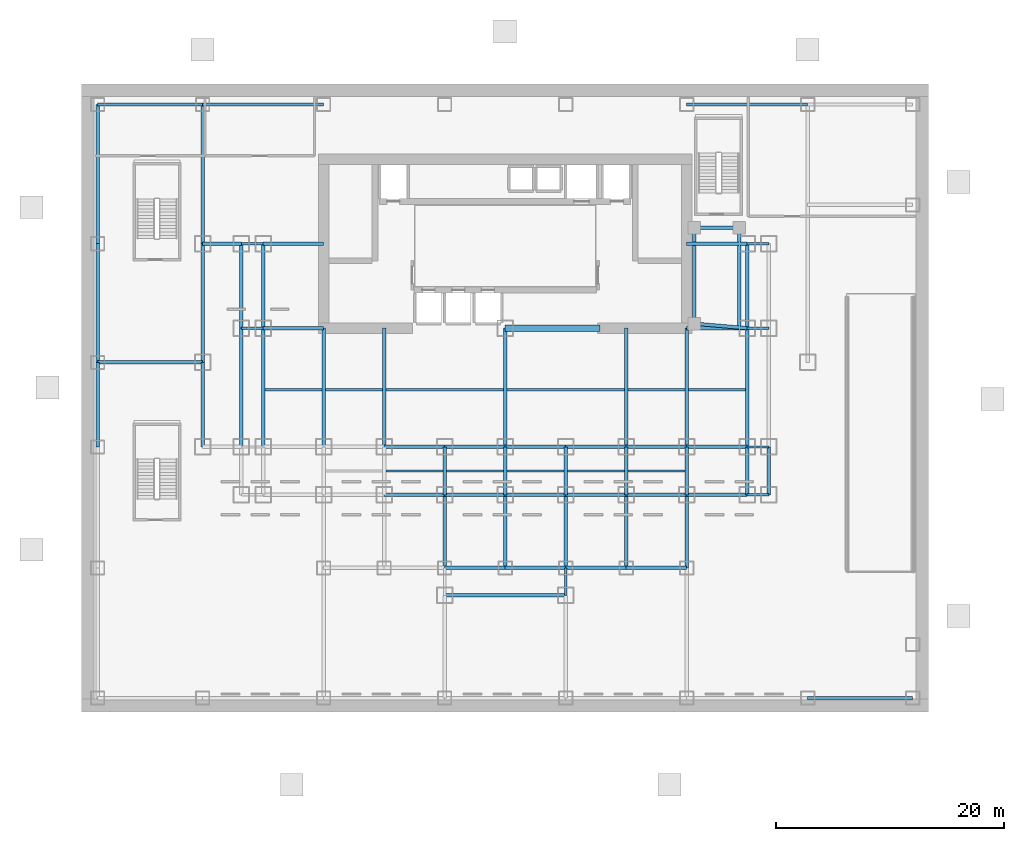
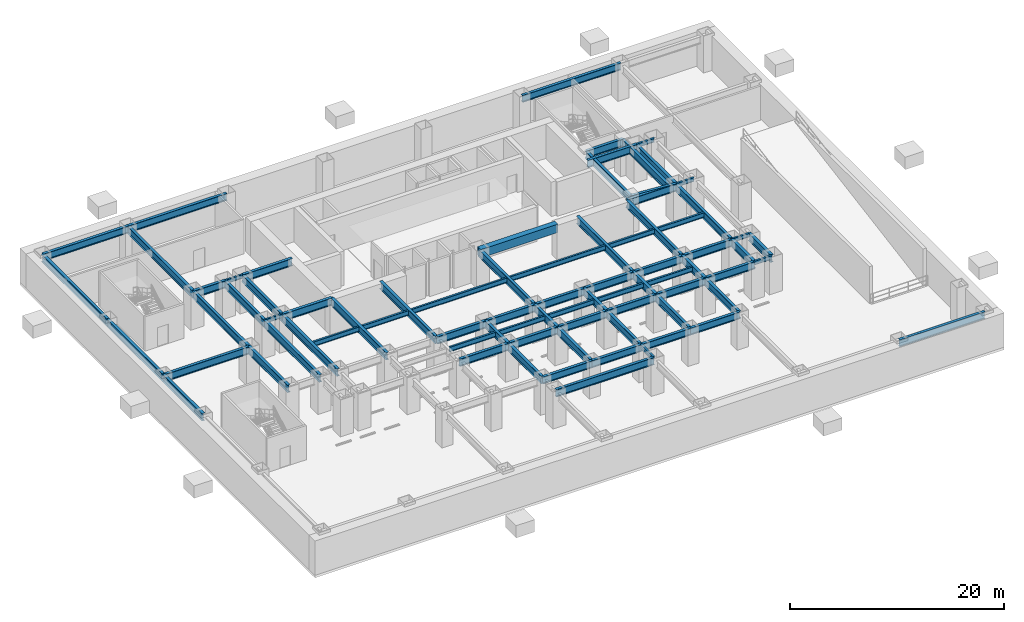
# One storey, part 2 of 7: 79 beams.
"""IFC4 building model written with IfcOpenShell, lengths in metres."""

from ifc_helpers import new_model, si_unit, direction, frame, origin, origin_2d, place, context, subcontext, project, spatial, rectangle, i_section, extrude, material, material_profile, profile_set, type_object, element, save


model = new_model("IFC4")

# Units and contexts
model_context = context("Model", 3, precision=1e-05, world=origin(), true_north=direction((0.0, 1.0)))
body_context = subcontext(model_context, "Body", "Model", "MODEL_VIEW")
ifc_project = project(units=[si_unit("LENGTHUNIT", "METRE"), si_unit("AREAUNIT", "SQUARE_METRE"), si_unit("VOLUMEUNIT", "CUBIC_METRE"), si_unit("PLANEANGLEUNIT", "RADIAN"), si_unit("MASSUNIT", "GRAM", prefix="KILO")], contexts=[model_context])

# Site, building, storey
site_placement = place(None, origin())
site = spatial("IfcSite", under=ifc_project, at=site_placement, CompositionType="ELEMENT")
building_placement = place(site_placement, origin())
building = spatial("IfcBuilding", under=site, at=building_placement, Name="Qianlan Lanfeng Residences", CompositionType="ELEMENT")
storey_placement = place(building_placement, frame((0.0, 0.0, -4.199951171875)))
storey = spatial("IfcBuildingStorey", under=building, at=storey_placement, Name="B1", CompositionType="ELEMENT", Elevation=-4.199951171875)

# Beams
ifc_material_1 = material(Name="Steel SN490B", Category="steel")
ifc_material_profile_1 = material_profile(ifc_material_1, i_section(OverallWidth=0.300048828125, OverallDepth=0.85009765625, WebThickness=0.01611328125, FlangeThickness=0.031982421875, at=origin_2d()), Name="H 850x300x16x32")
ifc_profile_set_1 = profile_set([ifc_material_profile_1], Name="Steel SN490B")
beam_type_1 = type_object("IfcBeamType", Name="G-1100", PredefinedType="BEAM", material=ifc_profile_set_1)
beam_1_placement = place(storey_placement, frame((21.199951171875, 1.800048828125, 3.474853515625), z_axis=(1.0, 0.0, 0.0), x_axis=(0.0, 1.0, 0.0)))
element("IfcBeam", 1, at=beam_1_placement, inside=storey, type_object=beam_type_1, Name="Structural beam G-1100", PredefinedType="BEAM", context=body_context, shape_type="SweptSolid", body=[
    extrude(i_section(OverallWidth=0.300048828125, OverallDepth=0.85009765625, WebThickness=0.01611328125, FlangeThickness=0.031982421875, at=origin_2d()), origin(), (0.0, 0.0, 1.0), 10.60009765625),
])
for number, where, z_axis, x_axis, name in (
    (2, (15.89990234375, 10.60009765625, 3.474853515625), (1.0, 0.0, 0.0), (0.0, 1.0, 0.0), "Structural beam G-1100"),
    (3, (21.199951171875, 10.60009765625, 3.474853515625), (1.0, 0.0, 0.0), (0.0, 1.0, 0.0), "Structural beam G-1100"),
    (4, (26.5, 10.60009765625, 3.474853515625), (1.0, 0.0, 0.0), (0.0, 1.0, 0.0), "Structural beam G-1100"),
    (5, (31.800048828125, 10.60009765625, 3.474853515625), (1.0, 0.0, 0.0), (0.0, 1.0, 0.0), "Structural beam G-1100"),
):
    element("IfcBeam", number, at=place(storey_placement, frame(where, z_axis=z_axis, x_axis=x_axis)), inside=storey, type_object=beam_type_1, Name=name, PredefinedType="BEAM", context=body_context, shape_type="SweptSolid", body=[
        extrude(i_section(OverallWidth=0.300048828125, OverallDepth=0.85009765625, WebThickness=0.01611328125, FlangeThickness=0.031982421875, at=origin_2d()), origin(), (0.0, 0.0, 1.0), 5.300048828125),
    ])
beam_2_placement = place(storey_placement, frame((37.10009765625, 10.60009765625, 3.474853515625), z_axis=(1.0, 0.0, 0.0), x_axis=(0.0, 1.0, 0.0)))
element("IfcBeam", 6, at=beam_2_placement, inside=storey, type_object=beam_type_1, Name="Structural beam G-1100", PredefinedType="BEAM", context=body_context, shape_type="SweptSolid", body=[
    extrude(i_section(OverallWidth=0.300048828125, OverallDepth=0.85009765625, WebThickness=0.01611328125, FlangeThickness=0.031982421875, at=origin_2d()), origin(), (0.0, 0.0, 1.0), 5.2998046875),
])
for number, where, z_axis, x_axis, name in (
    (7, (42.39990234375, 10.60009765625, 3.474853515625), (1.0, 0.0, 0.0), (0.0, 1.0, 0.0), "Structural beam G-1100"),
    (8, (15.89990234375, 14.800048828125, 3.474853515625), (1.0, 0.0, 0.0), (0.0, 1.0, 0.0), "Structural beam G-1100"),
    (9, (21.199951171875, 14.800048828125, 3.474853515625), (1.0, 0.0, 0.0), (0.0, 1.0, 0.0), "Structural beam G-1100"),
    (10, (26.5, 14.800048828125, 3.474853515625), (1.0, 0.0, 0.0), (0.0, 1.0, 0.0), "Structural beam G-1100"),
    (11, (31.800048828125, 14.800048828125, 3.474853515625), (1.0, 0.0, 0.0), (0.0, 1.0, 0.0), "Structural beam G-1100"),
):
    element("IfcBeam", number, at=place(storey_placement, frame(where, z_axis=z_axis, x_axis=x_axis)), inside=storey, type_object=beam_type_1, Name=name, PredefinedType="BEAM", context=body_context, shape_type="SweptSolid", body=[
        extrude(i_section(OverallWidth=0.300048828125, OverallDepth=0.85009765625, WebThickness=0.01611328125, FlangeThickness=0.031982421875, at=origin_2d()), origin(), (0.0, 0.0, 1.0), 5.300048828125),
    ])
beam_3_placement = place(storey_placement, frame((37.10009765625, 14.800048828125, 3.474853515625), z_axis=(1.0, 0.0, 0.0), x_axis=(0.0, 1.0, 0.0)))
element("IfcBeam", 12, at=beam_3_placement, inside=storey, type_object=beam_type_1, Name="Structural beam G-1100", PredefinedType="BEAM", context=body_context, shape_type="SweptSolid", body=[
    extrude(i_section(OverallWidth=0.300048828125, OverallDepth=0.85009765625, WebThickness=0.01611328125, FlangeThickness=0.031982421875, at=origin_2d()), origin(), (0.0, 0.0, 1.0), 5.2998046875),
])
beam_4_placement = place(storey_placement, frame((42.39990234375, 14.800048828125, 3.474853515625), z_axis=(1.0, 0.0, 0.0), x_axis=(0.0, 1.0, 0.0)))
element("IfcBeam", 13, at=beam_4_placement, inside=storey, type_object=beam_type_1, Name="Structural beam G-1100", PredefinedType="BEAM", context=body_context, shape_type="SweptSolid", body=[
    extrude(i_section(OverallWidth=0.300048828125, OverallDepth=0.85009765625, WebThickness=0.01611328125, FlangeThickness=0.031982421875, at=origin_2d()), origin(), (0.0, 0.0, 1.0), 5.300048828125),
])
beam_5_placement = place(storey_placement, frame((-9.199951171875, 22.199951171875, 3.474853515625), z_axis=(1.0, 0.0, 0.0), x_axis=(0.0, 1.0, 0.0)))
element("IfcBeam", 14, at=beam_5_placement, inside=storey, type_object=beam_type_1, Name="Structural beam G-1100", PredefinedType="BEAM", context=body_context, shape_type="SweptSolid", body=[
    extrude(i_section(OverallWidth=0.300048828125, OverallDepth=0.85009765625, WebThickness=0.01611328125, FlangeThickness=0.031982421875, at=origin_2d()), origin(), (0.0, 0.0, 1.0), 9.199951171875),
])
for number, where, z_axis, x_axis, name in (
    (15, (5.300048828125, 25.199951171875, 3.474853515625), (1.0, 0.0, 0.0), (0.0, 1.0, 0.0), "Structural beam G-1100"),
    (16, (42.39990234375, 25.199951171875, 3.474853515625), (1.0, 0.0, 0.0), (0.0, 1.0, 0.0), "Structural beam G-1100"),
):
    element("IfcBeam", number, at=place(storey_placement, frame(where, z_axis=z_axis, x_axis=x_axis)), inside=storey, type_object=beam_type_1, Name=name, PredefinedType="BEAM", context=body_context, shape_type="SweptSolid", body=[
        extrude(i_section(OverallWidth=0.300048828125, OverallDepth=0.85009765625, WebThickness=0.01611328125, FlangeThickness=0.031982421875, at=origin_2d()), origin(), (0.0, 0.0, 1.0), 5.300048828125),
    ])
beam_6_placement = place(storey_placement, frame((0.0, 32.60009765625, 3.474853515625), z_axis=(1.0, 0.0, 0.0), x_axis=(0.0, 1.0, 0.0)))
element("IfcBeam", 17, at=beam_6_placement, inside=storey, type_object=beam_type_1, Name="Structural beam G-1100", PredefinedType="BEAM", context=body_context, shape_type="SweptSolid", body=[
    extrude(i_section(OverallWidth=0.300048828125, OverallDepth=0.85009765625, WebThickness=0.01611328125, FlangeThickness=0.031982421875, at=origin_2d()), origin(), (0.0, 0.0, 1.0), 3.39990234375),
])
for number, where, z_axis, x_axis, name in (
    (18, (5.300048828125, 32.60009765625, 3.474853515625), (1.0, 0.0, 0.0), (0.0, 1.0, 0.0), "Structural beam G-1100"),
    (19, (42.39990234375, 32.60009765625, 3.474853515625), (1.0, 0.0, 0.0), (0.0, 1.0, 0.0), "Structural beam G-1100"),
):
    element("IfcBeam", number, at=place(storey_placement, frame(where, z_axis=z_axis, x_axis=x_axis)), inside=storey, type_object=beam_type_1, Name=name, PredefinedType="BEAM", context=body_context, shape_type="SweptSolid", body=[
        extrude(i_section(OverallWidth=0.300048828125, OverallDepth=0.85009765625, WebThickness=0.01611328125, FlangeThickness=0.031982421875, at=origin_2d()), origin(), (0.0, 0.0, 1.0), 5.300048828125),
    ])
beam_7_placement = place(storey_placement, frame((-9.199951171875, 14.800048828125, 3.474853515625), z_axis=(0.0, 1.0, 0.0), x_axis=(-1.0, 0.0, 0.0)))
element("IfcBeam", 20, at=beam_7_placement, inside=storey, type_object=beam_type_1, Name="Structural beam G-1100", PredefinedType="BEAM", context=body_context, shape_type="SweptSolid", body=[
    extrude(i_section(OverallWidth=0.300048828125, OverallDepth=0.85009765625, WebThickness=0.01611328125, FlangeThickness=0.031982421875, at=origin_2d()), origin(), (0.0, 0.0, 1.0), 7.39990234375),
])
beam_8_placement = place(storey_placement, frame((-9.199951171875, 22.199951171875, 3.474853515625), z_axis=(0.0, 1.0, 0.0), x_axis=(-1.0, 0.0, 0.0)))
element("IfcBeam", 21, at=beam_8_placement, inside=storey, type_object=beam_type_1, Name="Structural beam G-1100", PredefinedType="BEAM", context=body_context, shape_type="SweptSolid", body=[
    extrude(i_section(OverallWidth=0.300048828125, OverallDepth=0.85009765625, WebThickness=0.01611328125, FlangeThickness=0.031982421875, at=origin_2d()), origin(), (0.0, 0.0, 1.0), 10.400146484375),
])
beam_9_placement = place(storey_placement, frame((-9.199951171875, 32.60009765625, 3.474853515625), z_axis=(0.0, 1.0, 0.0), x_axis=(-1.0, 0.0, 0.0)))
element("IfcBeam", 22, at=beam_9_placement, inside=storey, type_object=beam_type_1, Name="Structural beam G-1100", PredefinedType="BEAM", context=body_context, shape_type="SweptSolid", body=[
    extrude(i_section(OverallWidth=0.300048828125, OverallDepth=0.85009765625, WebThickness=0.01611328125, FlangeThickness=0.031982421875, at=origin_2d()), origin(), (0.0, 0.0, 1.0), 12.199951171875),
])
beam_10_placement = place(storey_placement, frame((0.0, 14.800048828125, 3.474853515625), z_axis=(0.0, 1.0, 0.0), x_axis=(-1.0, 0.0, 0.0)))
element("IfcBeam", 23, at=beam_10_placement, inside=storey, type_object=beam_type_1, Name="Structural beam G-1100", PredefinedType="BEAM", context=body_context, shape_type="SweptSolid", body=[
    extrude(i_section(OverallWidth=0.300048828125, OverallDepth=0.85009765625, WebThickness=0.01611328125, FlangeThickness=0.031982421875, at=origin_2d()), origin(), (0.0, 0.0, 1.0), 7.39990234375),
])
beam_11_placement = place(storey_placement, frame((0.0, 22.199951171875, 3.474853515625), z_axis=(0.0, 1.0, 0.0), x_axis=(-1.0, 0.0, 0.0)))
element("IfcBeam", 24, at=beam_11_placement, inside=storey, type_object=beam_type_1, Name="Structural beam G-1100", PredefinedType="BEAM", context=body_context, shape_type="SweptSolid", body=[
    extrude(i_section(OverallWidth=0.300048828125, OverallDepth=0.85009765625, WebThickness=0.01611328125, FlangeThickness=0.031982421875, at=origin_2d()), origin(), (0.0, 0.0, 1.0), 10.400146484375),
])
beam_12_placement = place(storey_placement, frame((0.0, 32.60009765625, 3.474853515625), z_axis=(0.0, 1.0, 0.0), x_axis=(-1.0, 0.0, 0.0)))
element("IfcBeam", 25, at=beam_12_placement, inside=storey, type_object=beam_type_1, Name="Structural beam G-1100", PredefinedType="BEAM", context=body_context, shape_type="SweptSolid", body=[
    extrude(i_section(OverallWidth=0.300048828125, OverallDepth=0.85009765625, WebThickness=0.01611328125, FlangeThickness=0.031982421875, at=origin_2d()), origin(), (0.0, 0.0, 1.0), 12.199951171875),
])
beam_13_placement = place(storey_placement, frame((3.39990234375, 14.800048828125, 3.474853515625), z_axis=(0.0, 1.0, 0.0), x_axis=(-1.0, 0.0, 0.0)))
element("IfcBeam", 26, at=beam_13_placement, inside=storey, type_object=beam_type_1, Name="Structural beam G-1100", PredefinedType="BEAM", context=body_context, shape_type="SweptSolid", body=[
    extrude(i_section(OverallWidth=0.300048828125, OverallDepth=0.85009765625, WebThickness=0.01611328125, FlangeThickness=0.031982421875, at=origin_2d()), origin(), (0.0, 0.0, 1.0), 10.39990234375),
])
beam_14_placement = place(storey_placement, frame((3.39990234375, 25.199951171875, 3.474853515625), z_axis=(0.0, 1.0, 0.0), x_axis=(-1.0, 0.0, 0.0)))
element("IfcBeam", 27, at=beam_14_placement, inside=storey, type_object=beam_type_1, Name="Structural beam G-1100", PredefinedType="BEAM", context=body_context, shape_type="SweptSolid", body=[
    extrude(i_section(OverallWidth=0.300048828125, OverallDepth=0.85009765625, WebThickness=0.01611328125, FlangeThickness=0.031982421875, at=origin_2d()), origin(), (0.0, 0.0, 1.0), 7.400146484375),
])
beam_15_placement = place(storey_placement, frame((5.300048828125, 14.800048828125, 3.474853515625), z_axis=(0.0, 1.0, 0.0), x_axis=(-1.0, 0.0, 0.0)))
element("IfcBeam", 28, at=beam_15_placement, inside=storey, type_object=beam_type_1, Name="Structural beam G-1100", PredefinedType="BEAM", context=body_context, shape_type="SweptSolid", body=[
    extrude(i_section(OverallWidth=0.300048828125, OverallDepth=0.85009765625, WebThickness=0.01611328125, FlangeThickness=0.031982421875, at=origin_2d()), origin(), (0.0, 0.0, 1.0), 10.39990234375),
])
beam_16_placement = place(storey_placement, frame((5.300048828125, 25.199951171875, 3.474853515625), z_axis=(0.0, 1.0, 0.0), x_axis=(-1.0, 0.0, 0.0)))
element("IfcBeam", 29, at=beam_16_placement, inside=storey, type_object=beam_type_1, Name="Structural beam G-1100", PredefinedType="BEAM", context=body_context, shape_type="SweptSolid", body=[
    extrude(i_section(OverallWidth=0.300048828125, OverallDepth=0.85009765625, WebThickness=0.01611328125, FlangeThickness=0.031982421875, at=origin_2d()), origin(), (0.0, 0.0, 1.0), 7.400146484375),
])
for number, where, z_axis, x_axis, name in (
    (30, (10.60009765625, 14.800048828125, 3.474853515625), (0.0, 1.0, 0.0), (-1.0, 0.0, 0.0), "Structural beam G-1100"),
    (31, (15.89990234375, 14.800048828125, 3.474853515625), (0.0, 1.0, 0.0), (-1.0, 0.0, 0.0), "Structural beam G-1100"),
):
    element("IfcBeam", number, at=place(storey_placement, frame(where, z_axis=z_axis, x_axis=x_axis)), inside=storey, type_object=beam_type_1, Name=name, PredefinedType="BEAM", context=body_context, shape_type="SweptSolid", body=[
        extrude(i_section(OverallWidth=0.300048828125, OverallDepth=0.85009765625, WebThickness=0.01611328125, FlangeThickness=0.031982421875, at=origin_2d()), origin(), (0.0, 0.0, 1.0), 10.39990234375),
    ])
beam_17_placement = place(storey_placement, frame((21.199951171875, 4.199951171875, 3.474853515625), z_axis=(0.0, 1.0, 0.0), x_axis=(-1.0, 0.0, 0.0)))
element("IfcBeam", 32, at=beam_17_placement, inside=storey, type_object=beam_type_1, Name="Structural beam G-1100", PredefinedType="BEAM", context=body_context, shape_type="SweptSolid", body=[
    extrude(i_section(OverallWidth=0.300048828125, OverallDepth=0.85009765625, WebThickness=0.01611328125, FlangeThickness=0.031982421875, at=origin_2d()), origin(), (0.0, 0.0, 1.0), 6.400146484375),
])
beam_18_placement = place(storey_placement, frame((21.199951171875, 10.60009765625, 3.474853515625), z_axis=(0.0, 1.0, 0.0), x_axis=(-1.0, 0.0, 0.0)))
element("IfcBeam", 33, at=beam_18_placement, inside=storey, type_object=beam_type_1, Name="Structural beam G-1100", PredefinedType="BEAM", context=body_context, shape_type="SweptSolid", body=[
    extrude(i_section(OverallWidth=0.300048828125, OverallDepth=0.85009765625, WebThickness=0.01611328125, FlangeThickness=0.031982421875, at=origin_2d()), origin(), (0.0, 0.0, 1.0), 4.199951171875),
])
beam_19_placement = place(storey_placement, frame((26.5, 4.199951171875, 3.474853515625), z_axis=(0.0, 1.0, 0.0), x_axis=(-1.0, 0.0, 0.0)))
element("IfcBeam", 34, at=beam_19_placement, inside=storey, type_object=beam_type_1, Name="Structural beam G-1100", PredefinedType="BEAM", context=body_context, shape_type="SweptSolid", body=[
    extrude(i_section(OverallWidth=0.300048828125, OverallDepth=0.85009765625, WebThickness=0.01611328125, FlangeThickness=0.031982421875, at=origin_2d()), origin(), (0.0, 0.0, 1.0), 6.400146484375),
])
beam_20_placement = place(storey_placement, frame((26.5, 10.60009765625, 3.474853515625), z_axis=(0.0, 1.0, 0.0), x_axis=(-1.0, 0.0, 0.0)))
element("IfcBeam", 35, at=beam_20_placement, inside=storey, type_object=beam_type_1, Name="Structural beam G-1100", PredefinedType="BEAM", context=body_context, shape_type="SweptSolid", body=[
    extrude(i_section(OverallWidth=0.300048828125, OverallDepth=0.85009765625, WebThickness=0.01611328125, FlangeThickness=0.031982421875, at=origin_2d()), origin(), (0.0, 0.0, 1.0), 4.199951171875),
])
beam_21_placement = place(storey_placement, frame((26.5, 14.800048828125, 3.474853515625), z_axis=(0.0, 1.0, 0.0), x_axis=(-1.0, 0.0, 0.0)))
element("IfcBeam", 36, at=beam_21_placement, inside=storey, type_object=beam_type_1, Name="Structural beam G-1100", PredefinedType="BEAM", context=body_context, shape_type="SweptSolid", body=[
    extrude(i_section(OverallWidth=0.300048828125, OverallDepth=0.85009765625, WebThickness=0.01611328125, FlangeThickness=0.031982421875, at=origin_2d()), origin(), (0.0, 0.0, 1.0), 10.39990234375),
])
beam_22_placement = place(storey_placement, frame((31.800048828125, 4.199951171875, 3.474853515625), z_axis=(0.0, 1.0, 0.0), x_axis=(-1.0, 0.0, 0.0)))
element("IfcBeam", 37, at=beam_22_placement, inside=storey, type_object=beam_type_1, Name="Structural beam G-1100", PredefinedType="BEAM", context=body_context, shape_type="SweptSolid", body=[
    extrude(i_section(OverallWidth=0.300048828125, OverallDepth=0.85009765625, WebThickness=0.01611328125, FlangeThickness=0.031982421875, at=origin_2d()), origin(), (0.0, 0.0, 1.0), 6.400146484375),
])
beam_23_placement = place(storey_placement, frame((31.800048828125, 10.60009765625, 3.474853515625), z_axis=(0.0, 1.0, 0.0), x_axis=(-1.0, 0.0, 0.0)))
element("IfcBeam", 38, at=beam_23_placement, inside=storey, type_object=beam_type_1, Name="Structural beam G-1100", PredefinedType="BEAM", context=body_context, shape_type="SweptSolid", body=[
    extrude(i_section(OverallWidth=0.300048828125, OverallDepth=0.85009765625, WebThickness=0.01611328125, FlangeThickness=0.031982421875, at=origin_2d()), origin(), (0.0, 0.0, 1.0), 4.199951171875),
])
beam_24_placement = place(storey_placement, frame((37.10009765625, 4.199951171875, 3.474853515625), z_axis=(0.0, 1.0, 0.0), x_axis=(-1.0, 0.0, 0.0)))
element("IfcBeam", 39, at=beam_24_placement, inside=storey, type_object=beam_type_1, Name="Structural beam G-1100", PredefinedType="BEAM", context=body_context, shape_type="SweptSolid", body=[
    extrude(i_section(OverallWidth=0.300048828125, OverallDepth=0.85009765625, WebThickness=0.01611328125, FlangeThickness=0.031982421875, at=origin_2d()), origin(), (0.0, 0.0, 1.0), 6.400146484375),
])
beam_25_placement = place(storey_placement, frame((37.10009765625, 10.60009765625, 3.474853515625), z_axis=(0.0, 1.0, 0.0), x_axis=(-1.0, 0.0, 0.0)))
element("IfcBeam", 40, at=beam_25_placement, inside=storey, type_object=beam_type_1, Name="Structural beam G-1100", PredefinedType="BEAM", context=body_context, shape_type="SweptSolid", body=[
    extrude(i_section(OverallWidth=0.300048828125, OverallDepth=0.85009765625, WebThickness=0.01611328125, FlangeThickness=0.031982421875, at=origin_2d()), origin(), (0.0, 0.0, 1.0), 4.199951171875),
])
beam_26_placement = place(storey_placement, frame((37.10009765625, 14.800048828125, 3.474853515625), z_axis=(0.0, 1.0, 0.0), x_axis=(-1.0, 0.0, 0.0)))
element("IfcBeam", 41, at=beam_26_placement, inside=storey, type_object=beam_type_1, Name="Structural beam G-1100", PredefinedType="BEAM", context=body_context, shape_type="SweptSolid", body=[
    extrude(i_section(OverallWidth=0.300048828125, OverallDepth=0.85009765625, WebThickness=0.01611328125, FlangeThickness=0.031982421875, at=origin_2d()), origin(), (0.0, 0.0, 1.0), 10.39990234375),
])
beam_27_placement = place(storey_placement, frame((42.39990234375, 4.199951171875, 3.474853515625), z_axis=(0.0, 1.0, 0.0), x_axis=(-1.0, 0.0, 0.0)))
element("IfcBeam", 42, at=beam_27_placement, inside=storey, type_object=beam_type_1, Name="Structural beam G-1100", PredefinedType="BEAM", context=body_context, shape_type="SweptSolid", body=[
    extrude(i_section(OverallWidth=0.300048828125, OverallDepth=0.85009765625, WebThickness=0.01611328125, FlangeThickness=0.031982421875, at=origin_2d()), origin(), (0.0, 0.0, 1.0), 6.400146484375),
])
beam_28_placement = place(storey_placement, frame((42.39990234375, 10.60009765625, 3.474853515625), z_axis=(0.0, 1.0, 0.0), x_axis=(-1.0, 0.0, 0.0)))
element("IfcBeam", 43, at=beam_28_placement, inside=storey, type_object=beam_type_1, Name="Structural beam G-1100", PredefinedType="BEAM", context=body_context, shape_type="SweptSolid", body=[
    extrude(i_section(OverallWidth=0.300048828125, OverallDepth=0.85009765625, WebThickness=0.01611328125, FlangeThickness=0.031982421875, at=origin_2d()), origin(), (0.0, 0.0, 1.0), 4.199951171875),
])
beam_29_placement = place(storey_placement, frame((42.39990234375, 14.800048828125, 3.474853515625), z_axis=(0.0, 1.0, 0.0), x_axis=(-1.0, 0.0, 0.0)))
element("IfcBeam", 44, at=beam_29_placement, inside=storey, type_object=beam_type_1, Name="Structural beam G-1100", PredefinedType="BEAM", context=body_context, shape_type="SweptSolid", body=[
    extrude(i_section(OverallWidth=0.300048828125, OverallDepth=0.85009765625, WebThickness=0.01611328125, FlangeThickness=0.031982421875, at=origin_2d()), origin(), (0.0, 0.0, 1.0), 10.39990234375),
])
beam_30_placement = place(storey_placement, frame((47.699951171875, 10.60009765625, 3.474853515625), z_axis=(0.0, 1.0, 0.0), x_axis=(-1.0, 0.0, 0.0)))
element("IfcBeam", 45, at=beam_30_placement, inside=storey, type_object=beam_type_1, Name="Structural beam G-1100", PredefinedType="BEAM", context=body_context, shape_type="SweptSolid", body=[
    extrude(i_section(OverallWidth=0.300048828125, OverallDepth=0.85009765625, WebThickness=0.01611328125, FlangeThickness=0.031982421875, at=origin_2d()), origin(), (0.0, 0.0, 1.0), 4.199951171875),
])
beam_31_placement = place(storey_placement, frame((47.699951171875, 14.800048828125, 3.474853515625), z_axis=(0.0, 1.0, 0.0), x_axis=(-1.0, 0.0, 0.0)))
element("IfcBeam", 46, at=beam_31_placement, inside=storey, type_object=beam_type_1, Name="Structural beam G-1100", PredefinedType="BEAM", context=body_context, shape_type="SweptSolid", body=[
    extrude(i_section(OverallWidth=0.300048828125, OverallDepth=0.85009765625, WebThickness=0.01611328125, FlangeThickness=0.031982421875, at=origin_2d()), origin(), (0.0, 0.0, 1.0), 10.39990234375),
])
beam_32_placement = place(storey_placement, frame((47.699951171875, 25.199951171875, 3.474853515625), z_axis=(0.0, 1.0, 0.0), x_axis=(-1.0, 0.0, 0.0)))
element("IfcBeam", 47, at=beam_32_placement, inside=storey, type_object=beam_type_1, Name="Structural beam G-1100", PredefinedType="BEAM", context=body_context, shape_type="SweptSolid", body=[
    extrude(i_section(OverallWidth=0.300048828125, OverallDepth=0.85009765625, WebThickness=0.01611328125, FlangeThickness=0.031982421875, at=origin_2d()), origin(), (0.0, 0.0, 1.0), 7.400146484375),
])
beam_33_placement = place(storey_placement, frame((49.60009765625, 10.60009765625, 3.474853515625), z_axis=(0.0, 1.0, 0.0), x_axis=(-1.0, 0.0, 0.0)))
element("IfcBeam", 48, at=beam_33_placement, inside=storey, type_object=beam_type_1, Name="Structural beam G-1100", PredefinedType="BEAM", context=body_context, shape_type="SweptSolid", body=[
    extrude(i_section(OverallWidth=0.300048828125, OverallDepth=0.85009765625, WebThickness=0.01611328125, FlangeThickness=0.031982421875, at=origin_2d()), origin(), (0.0, 0.0, 1.0), 4.199951171875),
])
beam_34_placement = place(storey_placement, frame((43.080078125, 25.60009765625, 3.474853515625), z_axis=(0.996269966502, -0.086291099461, 0.0), x_axis=(0.086291099461, 0.996269966502, 0.0)))
element("IfcBeam", 49, at=beam_34_placement, inside=storey, type_object=beam_type_1, Name="B1 ST-P1 South Support Girder", PredefinedType="BEAM", context=body_context, shape_type="SweptSolid", body=[
    extrude(i_section(OverallWidth=0.300048828125, OverallDepth=0.85009765625, WebThickness=0.01611328125, FlangeThickness=0.031982421875, at=origin_2d()), origin(), (0.0, 0.0, 1.0), 4.63720703125),
])
beam_35_placement = place(storey_placement, frame((43.080078125, 34.0, 3.474853515625), z_axis=(1.0, 0.0, 0.0), x_axis=(0.0, 1.0, 0.0)))
element("IfcBeam", 50, at=beam_35_placement, inside=storey, type_object=beam_type_1, Name="B1 ST-P1 North Support Girder", PredefinedType="BEAM", context=body_context, shape_type="SweptSolid", body=[
    extrude(i_section(OverallWidth=0.300048828125, OverallDepth=0.85009765625, WebThickness=0.01611328125, FlangeThickness=0.031982421875, at=origin_2d()), origin(), (0.0, 0.0, 1.0), 3.93994140625),
])
beam_36_placement = place(storey_placement, frame((43.080078125, 25.60009765625, 3.474853515625), z_axis=(0.0, 1.0, 0.0), x_axis=(-1.0, 0.0, 0.0)))
element("IfcBeam", 51, at=beam_36_placement, inside=storey, type_object=beam_type_1, Name="B1 ST-P1 West Support Girder", PredefinedType="BEAM", context=body_context, shape_type="SweptSolid", body=[
    extrude(i_section(OverallWidth=0.300048828125, OverallDepth=0.85009765625, WebThickness=0.01611328125, FlangeThickness=0.031982421875, at=origin_2d()), origin(), (0.0, 0.0, 1.0), 8.39990234375),
])
beam_37_placement = place(storey_placement, frame((47.02001953125, 25.260009765625, 3.474853515625), z_axis=(0.0, 1.0, 0.0), x_axis=(-1.0, 0.0, 0.0)))
element("IfcBeam", 52, at=beam_37_placement, inside=storey, type_object=beam_type_1, Name="B1 ST-P1 East Support Girder", PredefinedType="BEAM", context=body_context, shape_type="SweptSolid", body=[
    extrude(i_section(OverallWidth=0.300048828125, OverallDepth=0.85009765625, WebThickness=0.01611328125, FlangeThickness=0.031982421875, at=origin_2d()), origin(), (0.0, 0.0, 1.0), 8.739990234375),
])
ifc_material_profile_2 = material_profile(ifc_material_1, i_section(OverallWidth=0.199951171875, OverallDepth=0.449951171875, WebThickness=0.009033203125, FlangeThickness=0.013916015625, at=origin_2d()), Name="H 450x200x9x14")
ifc_profile_set_2 = profile_set([ifc_material_profile_2], Name="Steel SN490B")
beam_type_2 = type_object("IfcBeamType", Name="J-450", PredefinedType="JOIST", material=ifc_profile_set_2)
for number, where, z_axis, x_axis, name in (
    (53, (47.699951171875, 10.60009765625, 3.675048828125), (1.0, 0.0, 0.0), (0.0, 1.0, 0.0), "Structural beam J-450"),
    (54, (47.699951171875, 14.800048828125, 3.675048828125), (1.0, 0.0, 0.0), (0.0, 1.0, 0.0), "Structural beam J-450"),
    (55, (3.39990234375, 25.199951171875, 3.675048828125), (1.0, 0.0, 0.0), (0.0, 1.0, 0.0), "Structural beam J-450"),
    (56, (47.699951171875, 25.199951171875, 3.675048828125), (1.0, 0.0, 0.0), (0.0, 1.0, 0.0), "Structural beam J-450"),
    (57, (3.39990234375, 32.60009765625, 3.675048828125), (1.0, 0.0, 0.0), (0.0, 1.0, 0.0), "Structural beam J-450"),
    (58, (47.699951171875, 32.60009765625, 3.675048828125), (1.0, 0.0, 0.0), (0.0, 1.0, 0.0), "Structural beam J-450"),
):
    element("IfcBeam", number, at=place(storey_placement, frame(where, z_axis=z_axis, x_axis=x_axis)), inside=storey, type_object=beam_type_2, Name=name, PredefinedType="JOIST", context=body_context, shape_type="SweptSolid", body=[
        extrude(i_section(OverallWidth=0.199951171875, OverallDepth=0.449951171875, WebThickness=0.009033203125, FlangeThickness=0.013916015625, at=origin_2d()), origin(), (0.0, 0.0, 1.0), 1.900146484375),
    ])
beam_38_placement = place(storey_placement, frame((31.800048828125, 1.800048828125, 3.675048828125), z_axis=(0.0, 1.0, 0.0), x_axis=(-1.0, 0.0, 0.0)))
element("IfcBeam", 59, at=beam_38_placement, inside=storey, type_object=beam_type_2, Name="Structural beam J-450", PredefinedType="JOIST", context=body_context, shape_type="SweptSolid", body=[
    extrude(i_section(OverallWidth=0.199951171875, OverallDepth=0.449951171875, WebThickness=0.009033203125, FlangeThickness=0.013916015625, at=origin_2d()), origin(), (0.0, 0.0, 1.0), 2.39990234375),
])
ifc_material_profile_3 = material_profile(ifc_material_1, i_section(OverallWidth=0.199951171875, OverallDepth=0.550048828125, WebThickness=0.010986328125, FlangeThickness=0.01806640625, at=origin_2d()), Name="H 550x200x11x18")
ifc_profile_set_3 = profile_set([ifc_material_profile_3], Name="Steel SN490B")
beam_type_3 = type_object("IfcBeamType", Name="J-550", PredefinedType="JOIST", material=ifc_profile_set_3)
for number, where, z_axis, x_axis, name in (
    (60, (16.050048828125, 12.699951171875, 3.625), (1.0, 0.0, 0.0), (0.0, 1.0, 0.0), "Structural beam J-550"),
    (61, (21.35009765625, 12.699951171875, 3.625), (1.0, 0.0, 0.0), (0.0, 1.0, 0.0), "Structural beam J-550"),
    (62, (26.64990234375, 12.699951171875, 3.625), (1.0, 0.0, 0.0), (0.0, 1.0, 0.0), "Structural beam J-550"),
    (63, (31.949951171875, 12.699951171875, 3.625), (1.0, 0.0, 0.0), (0.0, 1.0, 0.0), "Structural beam J-550"),
    (64, (37.25, 12.699951171875, 3.625), (1.0, 0.0, 0.0), (0.0, 1.0, 0.0), "Structural beam J-550"),
    (65, (5.449951171875, 19.800048828125, 3.625), (1.0, 0.0, 0.0), (0.0, 1.0, 0.0), "Structural beam J-550"),
    (66, (10.75, 19.800048828125, 3.625), (1.0, 0.0, 0.0), (0.0, 1.0, 0.0), "Structural beam J-550"),
):
    element("IfcBeam", number, at=place(storey_placement, frame(where, z_axis=z_axis, x_axis=x_axis)), inside=storey, type_object=beam_type_3, Name=name, PredefinedType="JOIST", context=body_context, shape_type="SweptSolid", body=[
        extrude(i_section(OverallWidth=0.199951171875, OverallDepth=0.550048828125, WebThickness=0.010986328125, FlangeThickness=0.01806640625, at=origin_2d()), origin(), (0.0, 0.0, 1.0), 5.0),
    ])
for number, where, z_axis, x_axis, name in (
    (67, (16.050048828125, 19.800048828125, 3.625), (1.0, 0.0, 0.0), (0.0, 1.0, 0.0), "Structural beam J-550"),
    (68, (26.64990234375, 19.800048828125, 3.625), (1.0, 0.0, 0.0), (0.0, 1.0, 0.0), "Structural beam J-550"),
):
    element("IfcBeam", number, at=place(storey_placement, frame(where, z_axis=z_axis, x_axis=x_axis)), inside=storey, type_object=beam_type_3, Name=name, PredefinedType="JOIST", context=body_context, shape_type="SweptSolid", body=[
        extrude(i_section(OverallWidth=0.199951171875, OverallDepth=0.550048828125, WebThickness=0.010986328125, FlangeThickness=0.01806640625, at=origin_2d()), origin(), (0.0, 0.0, 1.0), 10.300048828125),
    ])
for number, where, z_axis, x_axis, name in (
    (69, (37.25, 19.800048828125, 3.625), (1.0, 0.0, 0.0), (0.0, 1.0, 0.0), "Structural beam J-550"),
    (70, (42.550048828125, 19.800048828125, 3.625), (1.0, 0.0, 0.0), (0.0, 1.0, 0.0), "Structural beam J-550"),
):
    element("IfcBeam", number, at=place(storey_placement, frame(where, z_axis=z_axis, x_axis=x_axis)), inside=storey, type_object=beam_type_3, Name=name, PredefinedType="JOIST", context=body_context, shape_type="SweptSolid", body=[
        extrude(i_section(OverallWidth=0.199951171875, OverallDepth=0.550048828125, WebThickness=0.010986328125, FlangeThickness=0.01806640625, at=origin_2d()), origin(), (0.0, 0.0, 1.0), 5.0),
    ])
ifc_material_2 = material(Name="Concrete C60", Category="concrete")
ifc_material_profile_4 = material_profile(ifc_material_2, rectangle(XDim=0.60009765625, YDim=0.949951171875, at=origin_2d()), Name="RC 600x950")
ifc_profile_set_4 = profile_set([ifc_material_profile_4], Name="Concrete C60")
beam_type_4 = type_object("IfcBeamType", Name="LB-RC900", PredefinedType="BEAM", material=ifc_profile_set_4)
beam_39_placement = place(storey_placement, frame((26.5, 25.199951171875, 3.425048828125), z_axis=(1.0, 0.0, 0.0), x_axis=(0.0, 1.0, 0.0)))
element("IfcBeam", 71, at=beam_39_placement, inside=storey, type_object=beam_type_4, Name="B1 Core Coupling Beam E", PredefinedType="BEAM", context=body_context, shape_type="SweptSolid", body=[
    extrude(rectangle(XDim=0.60009765625, YDim=0.949951171875, at=origin_2d()), origin(), (0.0, 0.0, 1.0), 8.300048828125),
])
ifc_material_profile_5 = material_profile(ifc_material_1, i_section(OverallWidth=0.300048828125, OverallDepth=0.800048828125, WebThickness=0.01611328125, FlangeThickness=0.028076171875, at=origin_2d()), Name="H 800x300x16x28")
ifc_profile_set_5 = profile_set([ifc_material_profile_5], Name="Steel SN490B")
beam_type_5 = type_object("IfcBeamType", Name="SG-950", PredefinedType="SPANDREL", material=ifc_profile_set_5)
beam_40_placement = place(storey_placement, frame((53.0, -7.199951171875, 3.5), z_axis=(1.0, 0.0, 0.0), x_axis=(0.0, 1.0, 0.0)))
element("IfcBeam", 72, at=beam_40_placement, inside=storey, type_object=beam_type_5, Name="Structural beam SG-950", PredefinedType="SPANDREL", context=body_context, shape_type="SweptSolid", body=[
    extrude(i_section(OverallWidth=0.300048828125, OverallDepth=0.800048828125, WebThickness=0.01611328125, FlangeThickness=0.028076171875, at=origin_2d()), origin(), (0.0, 0.0, 1.0), 9.199951171875),
])
for number, where, z_axis, x_axis, name in (
    (73, (21.199951171875, 4.199951171875, 3.5), (1.0, 0.0, 0.0), (0.0, 1.0, 0.0), "Structural beam SG-950"),
    (74, (26.5, 4.199951171875, 3.5), (1.0, 0.0, 0.0), (0.0, 1.0, 0.0), "Structural beam SG-950"),
    (75, (31.800048828125, 4.199951171875, 3.5), (1.0, 0.0, 0.0), (0.0, 1.0, 0.0), "Structural beam SG-950"),
):
    element("IfcBeam", number, at=place(storey_placement, frame(where, z_axis=z_axis, x_axis=x_axis)), inside=storey, type_object=beam_type_5, Name=name, PredefinedType="SPANDREL", context=body_context, shape_type="SweptSolid", body=[
        extrude(i_section(OverallWidth=0.300048828125, OverallDepth=0.800048828125, WebThickness=0.01611328125, FlangeThickness=0.028076171875, at=origin_2d()), origin(), (0.0, 0.0, 1.0), 5.300048828125),
    ])
beam_41_placement = place(storey_placement, frame((37.10009765625, 4.199951171875, 3.5), z_axis=(1.0, 0.0, 0.0), x_axis=(0.0, 1.0, 0.0)))
element("IfcBeam", 76, at=beam_41_placement, inside=storey, type_object=beam_type_5, Name="Structural beam SG-950", PredefinedType="SPANDREL", context=body_context, shape_type="SweptSolid", body=[
    extrude(i_section(OverallWidth=0.300048828125, OverallDepth=0.800048828125, WebThickness=0.01611328125, FlangeThickness=0.028076171875, at=origin_2d()), origin(), (0.0, 0.0, 1.0), 5.2998046875),
])
beam_42_placement = place(storey_placement, frame((-9.199951171875, 44.800048828125, 3.5), z_axis=(1.0, 0.0, 0.0), x_axis=(0.0, 1.0, 0.0)))
element("IfcBeam", 77, at=beam_42_placement, inside=storey, type_object=beam_type_5, Name="Structural beam SG-950", PredefinedType="SPANDREL", context=body_context, shape_type="SweptSolid", body=[
    extrude(i_section(OverallWidth=0.300048828125, OverallDepth=0.800048828125, WebThickness=0.01611328125, FlangeThickness=0.028076171875, at=origin_2d()), origin(), (0.0, 0.0, 1.0), 9.199951171875),
])
for number, where, z_axis, x_axis, name in (
    (78, (0.0, 44.800048828125, 3.5), (1.0, 0.0, 0.0), (0.0, 1.0, 0.0), "Structural beam SG-950"),
    (79, (42.39990234375, 44.800048828125, 3.5), (1.0, 0.0, 0.0), (0.0, 1.0, 0.0), "Structural beam SG-950"),
):
    element("IfcBeam", number, at=place(storey_placement, frame(where, z_axis=z_axis, x_axis=x_axis)), inside=storey, type_object=beam_type_5, Name=name, PredefinedType="SPANDREL", context=body_context, shape_type="SweptSolid", body=[
        extrude(i_section(OverallWidth=0.300048828125, OverallDepth=0.800048828125, WebThickness=0.01611328125, FlangeThickness=0.028076171875, at=origin_2d()), origin(), (0.0, 0.0, 1.0), 10.60009765625),
    ])

save(model, "model.ifc")
